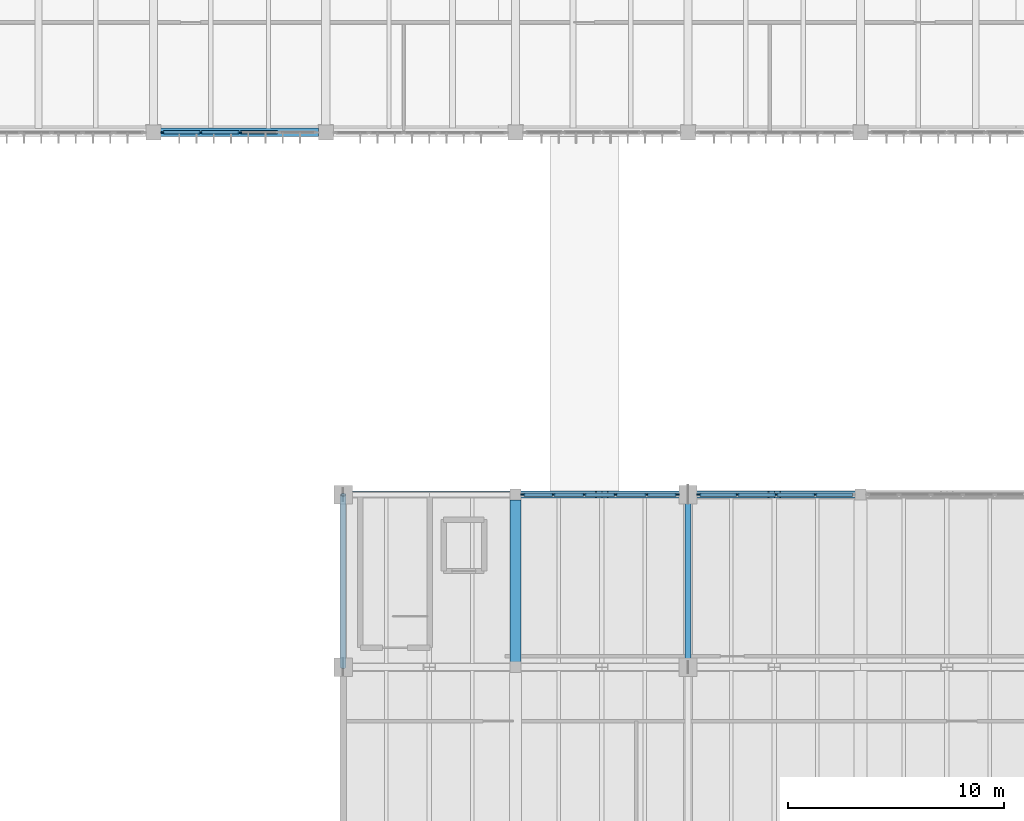
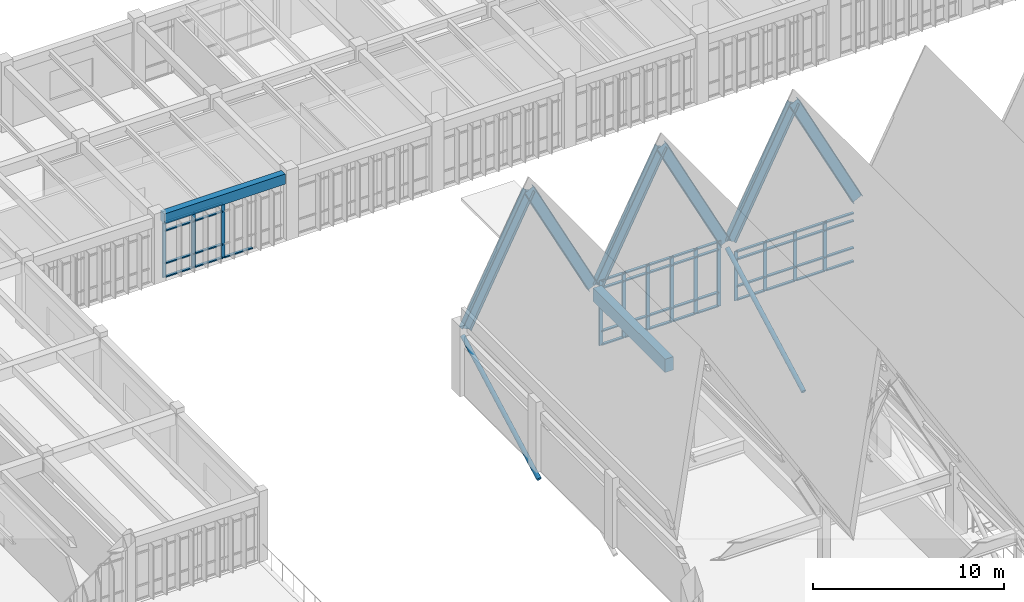
# One storey, part 8 of 72: 66 members, 2 beams, 3 elements without a shape of their own.
"""IFC4 building model written with IfcOpenShell, lengths in metres."""

from ifc_helpers import new_model, si_unit, direction, frame, origin, origin_2d, place, context, subcontext, project, spatial, rectangle, hollow_circle, i_section, extrude, material, material_profile, profile_set, type_object, element, aggregate, save


model = new_model("IFC4")

# Units and contexts
model_context = context("Model", 3, precision=1e-05, world=origin(), true_north=direction((0.0, 1.0)))
body_context = subcontext(model_context, "Body", "Model", "MODEL_VIEW")
ifc_project = project(units=[si_unit("LENGTHUNIT", "METRE"), si_unit("AREAUNIT", "SQUARE_METRE"), si_unit("VOLUMEUNIT", "CUBIC_METRE"), si_unit("PLANEANGLEUNIT", "RADIAN"), si_unit("MASSUNIT", "GRAM", prefix="KILO")], contexts=[model_context])

# Site, building, storey
site_placement = place(None, origin())
site = spatial("IfcSite", under=ifc_project, at=site_placement, CompositionType="ELEMENT")
building_placement = place(site_placement, origin())
building = spatial("IfcBuilding", under=site, at=building_placement, Name="Tlaxcora Railside Police Headquarters", CompositionType="ELEMENT")
storey_placement = place(building_placement, frame((0.0, 0.0, 13.5)))
storey = spatial("IfcBuildingStorey", under=building, at=storey_placement, Name="L03", CompositionType="ELEMENT", Elevation=13.5)

# Curtain wall, members
ifc_material_1 = material(Name="Thermally broken low-E insulated glazing", Category="glass")
curtain_wall_type_1 = type_object("IfcCurtainWallType", Name="Unitised Curtain Wall Assembly CW-23", PredefinedType="NOTDEFINED", material=ifc_material_1)
curtain_wall_1_placement = place(storey_placement, origin())
curtain_wall_1 = element("IfcCurtainWall", 1, at=curtain_wall_1_placement, inside=storey, type_object=curtain_wall_type_1, Name="V2 L03 curtain wall 20", PredefinedType="NOTDEFINED")
ifc_material_2 = material(Name="Anodised aluminium framing", Category="aluminium")
ifc_material_profile_1 = material_profile(ifc_material_2, rectangle(XDim=0.080078125, YDim=0.219970703125, at=origin_2d()), Name="AL80X220")
ifc_profile_set_1 = profile_set([ifc_material_profile_1], Name="Anodised aluminium framing")
member_type_1 = type_object("IfcMemberType", Name="Curtain Wall Mullion CW-31", PredefinedType="MULLION", material=ifc_profile_set_1)
member_1_placement = place(storey_placement, frame((61.485107421875, 60.0, 0.0), z_axis=(0.0, 0.0, 1.0), x_axis=(0.0, -1.0, 0.0)))
member_1 = element("IfcMember", 2, at=member_1_placement, type_object=member_type_1, Name="CW mullion 1", PredefinedType="MULLION", context=body_context, shape_type="SweptSolid", body=[
    extrude(rectangle(XDim=0.080078125, YDim=0.219970703125, at=origin_2d()), origin(), (0.0, 0.0, 1.0), 4.169921875),
])
member_2_placement = place(storey_placement, frame((60.080078125, 60.0, 0.0), z_axis=(0.0, 0.0, 1.0), x_axis=(0.0, -1.0, 0.0)))
member_2 = element("IfcMember", 3, at=member_2_placement, type_object=member_type_1, Name="CW mullion 2", PredefinedType="MULLION", context=body_context, shape_type="SweptSolid", body=[
    extrude(rectangle(XDim=0.080078125, YDim=0.219970703125, at=origin_2d()), origin(), (0.0, 0.0, 1.0), 4.169921875),
])
member_3_placement = place(storey_placement, frame((58.635009765625, 60.0, 0.0), z_axis=(0.0, 0.0, 1.0), x_axis=(0.0, -1.0, 0.0)))
member_3 = element("IfcMember", 4, at=member_3_placement, type_object=member_type_1, Name="CW mullion 3", PredefinedType="MULLION", context=body_context, shape_type="SweptSolid", body=[
    extrude(rectangle(XDim=0.080078125, YDim=0.219970703125, at=origin_2d()), origin(), (0.0, 0.0, 1.0), 4.169921875),
])
member_4_placement = place(storey_placement, frame((57.18994140625, 60.0, 0.0), z_axis=(0.0, 0.0, 1.0), x_axis=(0.0, -1.0, 0.0)))
member_4 = element("IfcMember", 5, at=member_4_placement, type_object=member_type_1, Name="CW mullion 4", PredefinedType="MULLION", context=body_context, shape_type="SweptSolid", body=[
    extrude(rectangle(XDim=0.080078125, YDim=0.219970703125, at=origin_2d()), origin(), (0.0, 0.0, 1.0), 4.169921875),
])
member_5_placement = place(storey_placement, frame((55.7451171875, 60.0, 0.0), z_axis=(0.0, 0.0, 1.0), x_axis=(0.0, -1.0, 0.0)))
member_5 = element("IfcMember", 6, at=member_5_placement, type_object=member_type_1, Name="CW mullion 5", PredefinedType="MULLION", context=body_context, shape_type="SweptSolid", body=[
    extrude(rectangle(XDim=0.080078125, YDim=0.219970703125, at=origin_2d()), origin(), (0.0, 0.0, 1.0), 4.169921875),
])
member_6_placement = place(storey_placement, frame((54.340087890625, 60.0, 0.0), z_axis=(0.0, 0.0, 1.0), x_axis=(0.0, -1.0, 0.0)))
member_6 = element("IfcMember", 7, at=member_6_placement, type_object=member_type_1, Name="CW mullion 6", PredefinedType="MULLION", context=body_context, shape_type="SweptSolid", body=[
    extrude(rectangle(XDim=0.080078125, YDim=0.219970703125, at=origin_2d()), origin(), (0.0, 0.0, 1.0), 4.169921875),
])

curtain_wall_type_2 = type_object("IfcCurtainWallType", Name="Unitised Curtain Wall Assembly CW-38", PredefinedType="NOTDEFINED", material=ifc_material_1)
curtain_wall_2_placement = place(storey_placement, origin())
curtain_wall_2 = element("IfcCurtainWall", 8, at=curtain_wall_2_placement, inside=storey, type_object=curtain_wall_type_2, Name="V5 L03 curtain wall 73", PredefinedType="NOTDEFINED")
ifc_material_profile_2 = material_profile(ifc_material_2, rectangle(XDim=0.074951171875, YDim=0.205078125, at=origin_2d()), Name="AL75X205")
ifc_profile_set_2 = profile_set([ifc_material_profile_2], Name="Anodised aluminium framing")
member_type_2 = type_object("IfcMemberType", Name="Curtain Wall Mullion CW-32", PredefinedType="MULLION", material=ifc_profile_set_2)
member_7_placement = place(storey_placement, frame((37.637451171875, 76.800048828125, 0.0), z_axis=(0.0, 0.0, 1.0), x_axis=(0.0, 1.0, 0.0)))
member_7 = element("IfcMember", 9, at=member_7_placement, type_object=member_type_2, Name="CW mullion 1", PredefinedType="MULLION", context=body_context, shape_type="SweptSolid", body=[
    extrude(rectangle(XDim=0.074951171875, YDim=0.205078125, at=origin_2d()), origin(), (0.0, 0.0, 1.0), 3.52001953125),
])
member_8_placement = place(storey_placement, frame((39.39990234375, 76.800048828125, 0.0), z_axis=(0.0, 0.0, 1.0), x_axis=(0.0, 1.0, 0.0)))
member_8 = element("IfcMember", 10, at=member_8_placement, type_object=member_type_2, Name="CW mullion 2", PredefinedType="MULLION", context=body_context, shape_type="SweptSolid", body=[
    extrude(rectangle(XDim=0.074951171875, YDim=0.205078125, at=origin_2d()), origin(), (0.0, 0.0, 1.0), 3.52001953125),
])
member_9_placement = place(storey_placement, frame((41.199951171875, 76.800048828125, 0.0), z_axis=(0.0, 0.0, 1.0), x_axis=(0.0, 1.0, 0.0)))
member_9 = element("IfcMember", 11, at=member_9_placement, type_object=member_type_2, Name="CW mullion 3", PredefinedType="MULLION", context=body_context, shape_type="SweptSolid", body=[
    extrude(rectangle(XDim=0.074951171875, YDim=0.205078125, at=origin_2d()), origin(), (0.0, 0.0, 1.0), 3.52001953125),
])

curtain_wall_type_3 = type_object("IfcCurtainWallType", Name="Unitised Curtain Wall Assembly CW-83", PredefinedType="NOTDEFINED", material=ifc_material_1)
curtain_wall_3_placement = place(storey_placement, origin())
curtain_wall_3 = element("IfcCurtainWall", 12, at=curtain_wall_3_placement, inside=storey, type_object=curtain_wall_type_3, Name="V2 L03 curtain wall 19", PredefinedType="NOTDEFINED")
ifc_material_profile_3 = material_profile(ifc_material_2, rectangle(XDim=0.080078125, YDim=0.2099609375, at=origin_2d()), Name="AL80X210")
ifc_profile_set_3 = profile_set([ifc_material_profile_3], Name="Anodised aluminium framing")
member_type_3 = type_object("IfcMemberType", Name="Curtain Wall Mullion CW-76", PredefinedType="MULLION", material=ifc_profile_set_3)
member_10_placement = place(storey_placement, frame((67.893798828125, 60.0, 0.0), z_axis=(0.0, 0.0, 1.0), x_axis=(0.0, -1.0, 0.0)))
member_10 = element("IfcMember", 13, at=member_10_placement, type_object=member_type_3, Name="CW mullion 2", PredefinedType="MULLION", context=body_context, shape_type="SweptSolid", body=[
    extrude(rectangle(XDim=0.080078125, YDim=0.2099609375, at=origin_2d()), origin(), (0.0, 0.0, 1.0), 3.155029296875),
])
member_11_placement = place(storey_placement, frame((66.08740234375, 60.0, 0.0), z_axis=(0.0, 0.0, 1.0), x_axis=(0.0, -1.0, 0.0)))
member_11 = element("IfcMember", 14, at=member_11_placement, type_object=member_type_3, Name="CW mullion 3", PredefinedType="MULLION", context=body_context, shape_type="SweptSolid", body=[
    extrude(rectangle(XDim=0.080078125, YDim=0.2099609375, at=origin_2d()), origin(), (0.0, 0.0, 1.0), 3.155029296875),
])
member_12_placement = place(storey_placement, frame((64.28125, 60.0, 0.0), z_axis=(0.0, 0.0, 1.0), x_axis=(0.0, -1.0, 0.0)))
member_12 = element("IfcMember", 15, at=member_12_placement, type_object=member_type_3, Name="CW mullion 4", PredefinedType="MULLION", context=body_context, shape_type="SweptSolid", body=[
    extrude(rectangle(XDim=0.080078125, YDim=0.2099609375, at=origin_2d()), origin(), (0.0, 0.0, 1.0), 3.155029296875),
])
member_13_placement = place(storey_placement, frame((62.514892578125, 60.0, 0.0), z_axis=(0.0, 0.0, 1.0), x_axis=(0.0, -1.0, 0.0)))
member_13 = element("IfcMember", 16, at=member_13_placement, type_object=member_type_3, Name="CW mullion 5", PredefinedType="MULLION", context=body_context, shape_type="SweptSolid", body=[
    extrude(rectangle(XDim=0.080078125, YDim=0.2099609375, at=origin_2d()), origin(), (0.0, 0.0, 1.0), 3.155029296875),
])

# Member
ifc_material_profile_4 = material_profile(ifc_material_2, rectangle(XDim=0.155029296875, YDim=0.074951171875, at=origin_2d()), Name="AL75X155")
ifc_profile_set_4 = profile_set([ifc_material_profile_4], Name="Anodised aluminium framing")
member_type_4 = type_object("IfcMemberType", Name="Curtain Wall Transom CW-30", PredefinedType="USERDEFINED", material=ifc_profile_set_4)
member_14_placement = place(storey_placement, frame((37.675048828125, 76.800048828125, 0.03759765625), z_axis=(1.0, 0.0, 0.0), x_axis=(0.0, 1.0, 0.0)))
member_14 = element("IfcMember", 17, at=member_14_placement, type_object=member_type_4, Name="CW transom 1.1", ObjectType="TRANSOM", PredefinedType="USERDEFINED", context=body_context, shape_type="SweptSolid", body=[
    extrude(rectangle(XDim=0.155029296875, YDim=0.074951171875, at=origin_2d()), origin(), (0.0, 0.0, 1.0), 1.6875),
])

member_15_placement = place(storey_placement, frame((37.675048828125, 76.800048828125, 0.89990234375), z_axis=(1.0, 0.0, 0.0), x_axis=(0.0, 1.0, 0.0)))
member_15 = element("IfcMember", 18, at=member_15_placement, type_object=member_type_4, Name="CW transom 1.2", ObjectType="TRANSOM", PredefinedType="USERDEFINED", context=body_context, shape_type="SweptSolid", body=[
    extrude(rectangle(XDim=0.155029296875, YDim=0.074951171875, at=origin_2d()), origin(), (0.0, 0.0, 1.0), 1.6875),
])

member_16_placement = place(storey_placement, frame((37.675048828125, 76.800048828125, 2.989990234375), z_axis=(1.0, 0.0, 0.0), x_axis=(0.0, 1.0, 0.0)))
member_16 = element("IfcMember", 19, at=member_16_placement, type_object=member_type_4, Name="CW transom 1.3", ObjectType="TRANSOM", PredefinedType="USERDEFINED", context=body_context, shape_type="SweptSolid", body=[
    extrude(rectangle(XDim=0.155029296875, YDim=0.074951171875, at=origin_2d()), origin(), (0.0, 0.0, 1.0), 1.6875),
])

member_17_placement = place(storey_placement, frame((37.675048828125, 76.800048828125, 3.482421875), z_axis=(1.0, 0.0, 0.0), x_axis=(0.0, 1.0, 0.0)))
member_17 = element("IfcMember", 20, at=member_17_placement, type_object=member_type_4, Name="CW transom 1.4", ObjectType="TRANSOM", PredefinedType="USERDEFINED", context=body_context, shape_type="SweptSolid", body=[
    extrude(rectangle(XDim=0.155029296875, YDim=0.074951171875, at=origin_2d()), origin(), (0.0, 0.0, 1.0), 1.6875),
])

member_18_placement = place(storey_placement, frame((39.4375, 76.800048828125, 0.03759765625), z_axis=(1.0, 0.0, 0.0), x_axis=(0.0, 1.0, 0.0)))
member_18 = element("IfcMember", 21, at=member_18_placement, type_object=member_type_4, Name="CW transom 2.1", ObjectType="TRANSOM", PredefinedType="USERDEFINED", context=body_context, shape_type="SweptSolid", body=[
    extrude(rectangle(XDim=0.155029296875, YDim=0.074951171875, at=origin_2d()), origin(), (0.0, 0.0, 1.0), 1.72509765625),
])

member_19_placement = place(storey_placement, frame((39.4375, 76.800048828125, 0.89990234375), z_axis=(1.0, 0.0, 0.0), x_axis=(0.0, 1.0, 0.0)))
member_19 = element("IfcMember", 22, at=member_19_placement, type_object=member_type_4, Name="CW transom 2.2", ObjectType="TRANSOM", PredefinedType="USERDEFINED", context=body_context, shape_type="SweptSolid", body=[
    extrude(rectangle(XDim=0.155029296875, YDim=0.074951171875, at=origin_2d()), origin(), (0.0, 0.0, 1.0), 1.72509765625),
])

member_20_placement = place(storey_placement, frame((39.4375, 76.800048828125, 2.989990234375), z_axis=(1.0, 0.0, 0.0), x_axis=(0.0, 1.0, 0.0)))
member_20 = element("IfcMember", 23, at=member_20_placement, type_object=member_type_4, Name="CW transom 2.3", ObjectType="TRANSOM", PredefinedType="USERDEFINED", context=body_context, shape_type="SweptSolid", body=[
    extrude(rectangle(XDim=0.155029296875, YDim=0.074951171875, at=origin_2d()), origin(), (0.0, 0.0, 1.0), 1.72509765625),
])

member_21_placement = place(storey_placement, frame((39.4375, 76.800048828125, 3.482421875), z_axis=(1.0, 0.0, 0.0), x_axis=(0.0, 1.0, 0.0)))
member_21 = element("IfcMember", 24, at=member_21_placement, type_object=member_type_4, Name="CW transom 2.4", ObjectType="TRANSOM", PredefinedType="USERDEFINED", context=body_context, shape_type="SweptSolid", body=[
    extrude(rectangle(XDim=0.155029296875, YDim=0.074951171875, at=origin_2d()), origin(), (0.0, 0.0, 1.0), 1.72509765625),
])

member_22_placement = place(storey_placement, frame((41.237548828125, 76.800048828125, 0.03759765625), z_axis=(1.0, 0.0, 0.0), x_axis=(0.0, 1.0, 0.0)))
member_22 = element("IfcMember", 25, at=member_22_placement, type_object=member_type_4, Name="CW transom 3.1", ObjectType="TRANSOM", PredefinedType="USERDEFINED", context=body_context, shape_type="SweptSolid", body=[
    extrude(rectangle(XDim=0.155029296875, YDim=0.074951171875, at=origin_2d()), origin(), (0.0, 0.0, 1.0), 1.724853515625),
])

aggregate(curtain_wall_2, [member_7, member_8, member_9, member_14, member_15, member_16, member_17, member_18, member_19, member_20, member_21, member_22])

ifc_material_profile_5 = material_profile(ifc_material_2, rectangle(XDim=0.1650390625, YDim=0.080078125, at=origin_2d()), Name="AL80X165")
ifc_profile_set_5 = profile_set([ifc_material_profile_5], Name="Anodised aluminium framing")
member_type_5 = type_object("IfcMemberType", Name="Curtain Wall Transom CW-62", PredefinedType="USERDEFINED", material=ifc_profile_set_5)
member_23_placement = place(storey_placement, frame((61.445068359375, 60.0, 0.0400390625), z_axis=(-1.0, 0.0, 0.0), x_axis=(0.0, -1.0, 0.0)))
member_23 = element("IfcMember", 26, at=member_23_placement, type_object=member_type_5, Name="CW transom 1.1", ObjectType="TRANSOM", PredefinedType="USERDEFINED", context=body_context, shape_type="SweptSolid", body=[
    extrude(rectangle(XDim=0.1650390625, YDim=0.080078125, at=origin_2d()), origin(), (0.0, 0.0, 1.0), 1.324951171875),
])

member_24_placement = place(storey_placement, frame((61.445068359375, 60.0, 0.89990234375), z_axis=(-1.0, 0.0, 0.0), x_axis=(0.0, -1.0, 0.0)))
member_24 = element("IfcMember", 27, at=member_24_placement, type_object=member_type_5, Name="CW transom 1.2", ObjectType="TRANSOM", PredefinedType="USERDEFINED", context=body_context, shape_type="SweptSolid", body=[
    extrude(rectangle(XDim=0.1650390625, YDim=0.080078125, at=origin_2d()), origin(), (0.0, 0.0, 1.0), 1.324951171875),
])

member_25_placement = place(storey_placement, frame((61.445068359375, 60.0, 3.639892578125), z_axis=(-1.0, 0.0, 0.0), x_axis=(0.0, -1.0, 0.0)))
member_25 = element("IfcMember", 28, at=member_25_placement, type_object=member_type_5, Name="CW transom 1.3", ObjectType="TRANSOM", PredefinedType="USERDEFINED", context=body_context, shape_type="SweptSolid", body=[
    extrude(rectangle(XDim=0.1650390625, YDim=0.080078125, at=origin_2d()), origin(), (0.0, 0.0, 1.0), 1.324951171875),
])

member_26_placement = place(storey_placement, frame((61.445068359375, 60.0, 4.1298828125), z_axis=(-1.0, 0.0, 0.0), x_axis=(0.0, -1.0, 0.0)))
member_26 = element("IfcMember", 29, at=member_26_placement, type_object=member_type_5, Name="CW transom 1.4", ObjectType="TRANSOM", PredefinedType="USERDEFINED", context=body_context, shape_type="SweptSolid", body=[
    extrude(rectangle(XDim=0.1650390625, YDim=0.080078125, at=origin_2d()), origin(), (0.0, 0.0, 1.0), 1.324951171875),
])

member_27_placement = place(storey_placement, frame((60.0400390625, 60.0, 0.0400390625), z_axis=(-1.0, 0.0, 0.0), x_axis=(0.0, -1.0, 0.0)))
member_27 = element("IfcMember", 30, at=member_27_placement, type_object=member_type_5, Name="CW transom 2.1", ObjectType="TRANSOM", PredefinedType="USERDEFINED", context=body_context, shape_type="SweptSolid", body=[
    extrude(rectangle(XDim=0.1650390625, YDim=0.080078125, at=origin_2d()), origin(), (0.0, 0.0, 1.0), 1.364990234375),
])

member_28_placement = place(storey_placement, frame((60.0400390625, 60.0, 0.89990234375), z_axis=(-1.0, 0.0, 0.0), x_axis=(0.0, -1.0, 0.0)))
member_28 = element("IfcMember", 31, at=member_28_placement, type_object=member_type_5, Name="CW transom 2.2", ObjectType="TRANSOM", PredefinedType="USERDEFINED", context=body_context, shape_type="SweptSolid", body=[
    extrude(rectangle(XDim=0.1650390625, YDim=0.080078125, at=origin_2d()), origin(), (0.0, 0.0, 1.0), 1.364990234375),
])

member_29_placement = place(storey_placement, frame((60.0400390625, 60.0, 3.639892578125), z_axis=(-1.0, 0.0, 0.0), x_axis=(0.0, -1.0, 0.0)))
member_29 = element("IfcMember", 32, at=member_29_placement, type_object=member_type_5, Name="CW transom 2.3", ObjectType="TRANSOM", PredefinedType="USERDEFINED", context=body_context, shape_type="SweptSolid", body=[
    extrude(rectangle(XDim=0.1650390625, YDim=0.080078125, at=origin_2d()), origin(), (0.0, 0.0, 1.0), 1.364990234375),
])

member_30_placement = place(storey_placement, frame((60.0400390625, 60.0, 4.1298828125), z_axis=(-1.0, 0.0, 0.0), x_axis=(0.0, -1.0, 0.0)))
member_30 = element("IfcMember", 33, at=member_30_placement, type_object=member_type_5, Name="CW transom 2.4", ObjectType="TRANSOM", PredefinedType="USERDEFINED", context=body_context, shape_type="SweptSolid", body=[
    extrude(rectangle(XDim=0.1650390625, YDim=0.080078125, at=origin_2d()), origin(), (0.0, 0.0, 1.0), 1.364990234375),
])

member_31_placement = place(storey_placement, frame((58.594970703125, 60.0, 0.0400390625), z_axis=(-1.0, 0.0, 0.0), x_axis=(0.0, -1.0, 0.0)))
member_31 = element("IfcMember", 34, at=member_31_placement, type_object=member_type_5, Name="CW transom 3.1", ObjectType="TRANSOM", PredefinedType="USERDEFINED", context=body_context, shape_type="SweptSolid", body=[
    extrude(rectangle(XDim=0.1650390625, YDim=0.080078125, at=origin_2d()), origin(), (0.0, 0.0, 1.0), 1.364990234375),
])

member_32_placement = place(storey_placement, frame((58.594970703125, 60.0, 0.89990234375), z_axis=(-1.0, 0.0, 0.0), x_axis=(0.0, -1.0, 0.0)))
member_32 = element("IfcMember", 35, at=member_32_placement, type_object=member_type_5, Name="CW transom 3.2", ObjectType="TRANSOM", PredefinedType="USERDEFINED", context=body_context, shape_type="SweptSolid", body=[
    extrude(rectangle(XDim=0.1650390625, YDim=0.080078125, at=origin_2d()), origin(), (0.0, 0.0, 1.0), 1.364990234375),
])

member_33_placement = place(storey_placement, frame((58.594970703125, 60.0, 3.639892578125), z_axis=(-1.0, 0.0, 0.0), x_axis=(0.0, -1.0, 0.0)))
member_33 = element("IfcMember", 36, at=member_33_placement, type_object=member_type_5, Name="CW transom 3.3", ObjectType="TRANSOM", PredefinedType="USERDEFINED", context=body_context, shape_type="SweptSolid", body=[
    extrude(rectangle(XDim=0.1650390625, YDim=0.080078125, at=origin_2d()), origin(), (0.0, 0.0, 1.0), 1.364990234375),
])

member_34_placement = place(storey_placement, frame((58.594970703125, 60.0, 4.1298828125), z_axis=(-1.0, 0.0, 0.0), x_axis=(0.0, -1.0, 0.0)))
member_34 = element("IfcMember", 37, at=member_34_placement, type_object=member_type_5, Name="CW transom 3.4", ObjectType="TRANSOM", PredefinedType="USERDEFINED", context=body_context, shape_type="SweptSolid", body=[
    extrude(rectangle(XDim=0.1650390625, YDim=0.080078125, at=origin_2d()), origin(), (0.0, 0.0, 1.0), 1.364990234375),
])

member_35_placement = place(storey_placement, frame((57.14990234375, 60.0, 0.0400390625), z_axis=(-1.0, 0.0, 0.0), x_axis=(0.0, -1.0, 0.0)))
member_35 = element("IfcMember", 38, at=member_35_placement, type_object=member_type_5, Name="CW transom 4.1", ObjectType="TRANSOM", PredefinedType="USERDEFINED", context=body_context, shape_type="SweptSolid", body=[
    extrude(rectangle(XDim=0.1650390625, YDim=0.080078125, at=origin_2d()), origin(), (0.0, 0.0, 1.0), 1.364990234375),
])

member_36_placement = place(storey_placement, frame((57.14990234375, 60.0, 0.89990234375), z_axis=(-1.0, 0.0, 0.0), x_axis=(0.0, -1.0, 0.0)))
member_36 = element("IfcMember", 39, at=member_36_placement, type_object=member_type_5, Name="CW transom 4.2", ObjectType="TRANSOM", PredefinedType="USERDEFINED", context=body_context, shape_type="SweptSolid", body=[
    extrude(rectangle(XDim=0.1650390625, YDim=0.080078125, at=origin_2d()), origin(), (0.0, 0.0, 1.0), 1.364990234375),
])

member_37_placement = place(storey_placement, frame((57.14990234375, 60.0, 3.639892578125), z_axis=(-1.0, 0.0, 0.0), x_axis=(0.0, -1.0, 0.0)))
member_37 = element("IfcMember", 40, at=member_37_placement, type_object=member_type_5, Name="CW transom 4.3", ObjectType="TRANSOM", PredefinedType="USERDEFINED", context=body_context, shape_type="SweptSolid", body=[
    extrude(rectangle(XDim=0.1650390625, YDim=0.080078125, at=origin_2d()), origin(), (0.0, 0.0, 1.0), 1.364990234375),
])

member_38_placement = place(storey_placement, frame((57.14990234375, 60.0, 4.1298828125), z_axis=(-1.0, 0.0, 0.0), x_axis=(0.0, -1.0, 0.0)))
member_38 = element("IfcMember", 41, at=member_38_placement, type_object=member_type_5, Name="CW transom 4.4", ObjectType="TRANSOM", PredefinedType="USERDEFINED", context=body_context, shape_type="SweptSolid", body=[
    extrude(rectangle(XDim=0.1650390625, YDim=0.080078125, at=origin_2d()), origin(), (0.0, 0.0, 1.0), 1.364990234375),
])

member_39_placement = place(storey_placement, frame((55.705078125, 60.0, 0.0400390625), z_axis=(-1.0, 0.0, 0.0), x_axis=(0.0, -1.0, 0.0)))
member_39 = element("IfcMember", 42, at=member_39_placement, type_object=member_type_5, Name="CW transom 5.1", ObjectType="TRANSOM", PredefinedType="USERDEFINED", context=body_context, shape_type="SweptSolid", body=[
    extrude(rectangle(XDim=0.1650390625, YDim=0.080078125, at=origin_2d()), origin(), (0.0, 0.0, 1.0), 1.3251953125),
])

member_40_placement = place(storey_placement, frame((55.705078125, 60.0, 0.89990234375), z_axis=(-1.0, 0.0, 0.0), x_axis=(0.0, -1.0, 0.0)))
member_40 = element("IfcMember", 43, at=member_40_placement, type_object=member_type_5, Name="CW transom 5.2", ObjectType="TRANSOM", PredefinedType="USERDEFINED", context=body_context, shape_type="SweptSolid", body=[
    extrude(rectangle(XDim=0.1650390625, YDim=0.080078125, at=origin_2d()), origin(), (0.0, 0.0, 1.0), 1.3251953125),
])

member_41_placement = place(storey_placement, frame((55.705078125, 60.0, 3.639892578125), z_axis=(-1.0, 0.0, 0.0), x_axis=(0.0, -1.0, 0.0)))
member_41 = element("IfcMember", 44, at=member_41_placement, type_object=member_type_5, Name="CW transom 5.3", ObjectType="TRANSOM", PredefinedType="USERDEFINED", context=body_context, shape_type="SweptSolid", body=[
    extrude(rectangle(XDim=0.1650390625, YDim=0.080078125, at=origin_2d()), origin(), (0.0, 0.0, 1.0), 1.3251953125),
])

member_42_placement = place(storey_placement, frame((55.705078125, 60.0, 4.1298828125), z_axis=(-1.0, 0.0, 0.0), x_axis=(0.0, -1.0, 0.0)))
member_42 = element("IfcMember", 45, at=member_42_placement, type_object=member_type_5, Name="CW transom 5.4", ObjectType="TRANSOM", PredefinedType="USERDEFINED", context=body_context, shape_type="SweptSolid", body=[
    extrude(rectangle(XDim=0.1650390625, YDim=0.080078125, at=origin_2d()), origin(), (0.0, 0.0, 1.0), 1.3251953125),
])

aggregate(curtain_wall_1, [member_1, member_2, member_3, member_4, member_5, member_6, member_23, member_24, member_25, member_26, member_27, member_28, member_29, member_30, member_31, member_32, member_33, member_34, member_35, member_36, member_37, member_38, member_39, member_40, member_41, member_42])

ifc_material_profile_6 = material_profile(ifc_material_2, rectangle(XDim=0.159912109375, YDim=0.080078125, at=origin_2d()), Name="AL80X160")
ifc_profile_set_6 = profile_set([ifc_material_profile_6], Name="Anodised aluminium framing")
member_type_6 = type_object("IfcMemberType", Name="Curtain Wall Transom CW-82", PredefinedType="USERDEFINED", material=ifc_profile_set_6)
member_43_placement = place(storey_placement, frame((69.6201171875, 60.0, 0.0400390625), z_axis=(-1.0, 0.0, 0.0), x_axis=(0.0, -1.0, 0.0)))
member_43 = element("IfcMember", 46, at=member_43_placement, type_object=member_type_6, Name="CW transom 1.1", ObjectType="TRANSOM", PredefinedType="USERDEFINED", context=body_context, shape_type="SweptSolid", body=[
    extrude(rectangle(XDim=0.159912109375, YDim=0.080078125, at=origin_2d()), origin(), (0.0, 0.0, 1.0), 1.686279296875),
])

member_44_placement = place(storey_placement, frame((69.6201171875, 60.0, 0.89990234375), z_axis=(-1.0, 0.0, 0.0), x_axis=(0.0, -1.0, 0.0)))
member_44 = element("IfcMember", 47, at=member_44_placement, type_object=member_type_6, Name="CW transom 1.2", ObjectType="TRANSOM", PredefinedType="USERDEFINED", context=body_context, shape_type="SweptSolid", body=[
    extrude(rectangle(XDim=0.159912109375, YDim=0.080078125, at=origin_2d()), origin(), (0.0, 0.0, 1.0), 1.686279296875),
])

member_45_placement = place(storey_placement, frame((69.6201171875, 60.0, 2.625), z_axis=(-1.0, 0.0, 0.0), x_axis=(0.0, -1.0, 0.0)))
member_45 = element("IfcMember", 48, at=member_45_placement, type_object=member_type_6, Name="CW transom 1.3", ObjectType="TRANSOM", PredefinedType="USERDEFINED", context=body_context, shape_type="SweptSolid", body=[
    extrude(rectangle(XDim=0.159912109375, YDim=0.080078125, at=origin_2d()), origin(), (0.0, 0.0, 1.0), 1.686279296875),
])

member_46_placement = place(storey_placement, frame((69.6201171875, 60.0, 3.114990234375), z_axis=(-1.0, 0.0, 0.0), x_axis=(0.0, -1.0, 0.0)))
member_46 = element("IfcMember", 49, at=member_46_placement, type_object=member_type_6, Name="CW transom 1.4", ObjectType="TRANSOM", PredefinedType="USERDEFINED", context=body_context, shape_type="SweptSolid", body=[
    extrude(rectangle(XDim=0.159912109375, YDim=0.080078125, at=origin_2d()), origin(), (0.0, 0.0, 1.0), 1.686279296875),
])

member_47_placement = place(storey_placement, frame((67.853759765625, 60.0, 0.0400390625), z_axis=(-1.0, 0.0, 0.0), x_axis=(0.0, -1.0, 0.0)))
member_47 = element("IfcMember", 50, at=member_47_placement, type_object=member_type_6, Name="CW transom 2.1", ObjectType="TRANSOM", PredefinedType="USERDEFINED", context=body_context, shape_type="SweptSolid", body=[
    extrude(rectangle(XDim=0.159912109375, YDim=0.080078125, at=origin_2d()), origin(), (0.0, 0.0, 1.0), 1.726318359375),
])

member_48_placement = place(storey_placement, frame((67.853759765625, 60.0, 0.89990234375), z_axis=(-1.0, 0.0, 0.0), x_axis=(0.0, -1.0, 0.0)))
member_48 = element("IfcMember", 51, at=member_48_placement, type_object=member_type_6, Name="CW transom 2.2", ObjectType="TRANSOM", PredefinedType="USERDEFINED", context=body_context, shape_type="SweptSolid", body=[
    extrude(rectangle(XDim=0.159912109375, YDim=0.080078125, at=origin_2d()), origin(), (0.0, 0.0, 1.0), 1.726318359375),
])

member_49_placement = place(storey_placement, frame((67.853759765625, 60.0, 2.625), z_axis=(-1.0, 0.0, 0.0), x_axis=(0.0, -1.0, 0.0)))
member_49 = element("IfcMember", 52, at=member_49_placement, type_object=member_type_6, Name="CW transom 2.3", ObjectType="TRANSOM", PredefinedType="USERDEFINED", context=body_context, shape_type="SweptSolid", body=[
    extrude(rectangle(XDim=0.159912109375, YDim=0.080078125, at=origin_2d()), origin(), (0.0, 0.0, 1.0), 1.726318359375),
])

member_50_placement = place(storey_placement, frame((67.853759765625, 60.0, 3.114990234375), z_axis=(-1.0, 0.0, 0.0), x_axis=(0.0, -1.0, 0.0)))
member_50 = element("IfcMember", 53, at=member_50_placement, type_object=member_type_6, Name="CW transom 2.4", ObjectType="TRANSOM", PredefinedType="USERDEFINED", context=body_context, shape_type="SweptSolid", body=[
    extrude(rectangle(XDim=0.159912109375, YDim=0.080078125, at=origin_2d()), origin(), (0.0, 0.0, 1.0), 1.726318359375),
])

member_51_placement = place(storey_placement, frame((66.047607421875, 60.0, 0.0400390625), z_axis=(-1.0, 0.0, 0.0), x_axis=(0.0, -1.0, 0.0)))
member_51 = element("IfcMember", 54, at=member_51_placement, type_object=member_type_6, Name="CW transom 3.1", ObjectType="TRANSOM", PredefinedType="USERDEFINED", context=body_context, shape_type="SweptSolid", body=[
    extrude(rectangle(XDim=0.159912109375, YDim=0.080078125, at=origin_2d()), origin(), (0.0, 0.0, 1.0), 1.726318359375),
])

member_52_placement = place(storey_placement, frame((66.047607421875, 60.0, 0.89990234375), z_axis=(-1.0, 0.0, 0.0), x_axis=(0.0, -1.0, 0.0)))
member_52 = element("IfcMember", 55, at=member_52_placement, type_object=member_type_6, Name="CW transom 3.2", ObjectType="TRANSOM", PredefinedType="USERDEFINED", context=body_context, shape_type="SweptSolid", body=[
    extrude(rectangle(XDim=0.159912109375, YDim=0.080078125, at=origin_2d()), origin(), (0.0, 0.0, 1.0), 1.726318359375),
])

member_53_placement = place(storey_placement, frame((66.047607421875, 60.0, 2.625), z_axis=(-1.0, 0.0, 0.0), x_axis=(0.0, -1.0, 0.0)))
member_53 = element("IfcMember", 56, at=member_53_placement, type_object=member_type_6, Name="CW transom 3.3", ObjectType="TRANSOM", PredefinedType="USERDEFINED", context=body_context, shape_type="SweptSolid", body=[
    extrude(rectangle(XDim=0.159912109375, YDim=0.080078125, at=origin_2d()), origin(), (0.0, 0.0, 1.0), 1.726318359375),
])

member_54_placement = place(storey_placement, frame((66.047607421875, 60.0, 3.114990234375), z_axis=(-1.0, 0.0, 0.0), x_axis=(0.0, -1.0, 0.0)))
member_54 = element("IfcMember", 57, at=member_54_placement, type_object=member_type_6, Name="CW transom 3.4", ObjectType="TRANSOM", PredefinedType="USERDEFINED", context=body_context, shape_type="SweptSolid", body=[
    extrude(rectangle(XDim=0.159912109375, YDim=0.080078125, at=origin_2d()), origin(), (0.0, 0.0, 1.0), 1.726318359375),
])

member_55_placement = place(storey_placement, frame((64.2412109375, 60.0, 0.0400390625), z_axis=(-1.0, 0.0, 0.0), x_axis=(0.0, -1.0, 0.0)))
member_55 = element("IfcMember", 58, at=member_55_placement, type_object=member_type_6, Name="CW transom 4.1", ObjectType="TRANSOM", PredefinedType="USERDEFINED", context=body_context, shape_type="SweptSolid", body=[
    extrude(rectangle(XDim=0.159912109375, YDim=0.080078125, at=origin_2d()), origin(), (0.0, 0.0, 1.0), 1.686279296875),
])

member_56_placement = place(storey_placement, frame((64.2412109375, 60.0, 0.89990234375), z_axis=(-1.0, 0.0, 0.0), x_axis=(0.0, -1.0, 0.0)))
member_56 = element("IfcMember", 59, at=member_56_placement, type_object=member_type_6, Name="CW transom 4.2", ObjectType="TRANSOM", PredefinedType="USERDEFINED", context=body_context, shape_type="SweptSolid", body=[
    extrude(rectangle(XDim=0.159912109375, YDim=0.080078125, at=origin_2d()), origin(), (0.0, 0.0, 1.0), 1.686279296875),
])

member_57_placement = place(storey_placement, frame((64.2412109375, 60.0, 2.625), z_axis=(-1.0, 0.0, 0.0), x_axis=(0.0, -1.0, 0.0)))
member_57 = element("IfcMember", 60, at=member_57_placement, type_object=member_type_6, Name="CW transom 4.3", ObjectType="TRANSOM", PredefinedType="USERDEFINED", context=body_context, shape_type="SweptSolid", body=[
    extrude(rectangle(XDim=0.159912109375, YDim=0.080078125, at=origin_2d()), origin(), (0.0, 0.0, 1.0), 1.686279296875),
])

member_58_placement = place(storey_placement, frame((64.2412109375, 60.0, 3.114990234375), z_axis=(-1.0, 0.0, 0.0), x_axis=(0.0, -1.0, 0.0)))
member_58 = element("IfcMember", 61, at=member_58_placement, type_object=member_type_6, Name="CW transom 4.4", ObjectType="TRANSOM", PredefinedType="USERDEFINED", context=body_context, shape_type="SweptSolid", body=[
    extrude(rectangle(XDim=0.159912109375, YDim=0.080078125, at=origin_2d()), origin(), (0.0, 0.0, 1.0), 1.686279296875),
])

aggregate(curtain_wall_3, [member_10, member_11, member_12, member_13, member_43, member_44, member_45, member_46, member_47, member_48, member_49, member_50, member_51, member_52, member_53, member_54, member_55, member_56, member_57, member_58])

# Members
ifc_material_3 = material(Name="Steel ASTM A992 Grade 50", Category="steel")
ifc_material_profile_7 = material_profile(ifc_material_3, hollow_circle(Radius=0.136474609375, WallThickness=0.011962890625, at=origin_2d()), Name="CHS273X12")
ifc_profile_set_7 = profile_set([ifc_material_profile_7], Name="Steel ASTM A992 Grade 50")
member_type_7 = type_object("IfcMemberType", Name="Diagonal Brace Member MB-16", PredefinedType="BRACE", material=ifc_profile_set_7)
for number, where, z_axis, x_axis, name in (
    (62, (46.0, 60.0, 3.52001953125), (0.0, -0.879902254176, -0.475154735951), (1.0, 0.0, 0.0), "Truss TR-1 L03 web diagonal 1"),
    (63, (62.0, 60.0, 3.52001953125), (0.0, -0.879902254176, -0.475154735951), (1.0, 0.0, 0.0), "Truss TR-2 L03 web diagonal 1"),
):
    element("IfcMember", number, at=place(storey_placement, frame(where, z_axis=z_axis, x_axis=x_axis)), inside=storey, type_object=member_type_7, Name=name, PredefinedType="BRACE", context=body_context, shape_type="SweptSolid", body=[
        extrude(hollow_circle(Radius=0.136474609375, WallThickness=0.011962890625, at=origin_2d()), origin(), (0.0, 0.0, 1.0), 9.092041015625),
    ])

# Beams
ifc_material_4 = material(Name="Concrete C40/50", Category="concrete")
ifc_material_profile_8 = material_profile(ifc_material_4, rectangle(XDim=0.39990234375, YDim=0.64990234375, at=origin_2d()), Name="RC400X650")
ifc_profile_set_8 = profile_set([ifc_material_profile_8], Name="Concrete C40/50")
beam_type_1 = type_object("IfcBeamType", Name="Perimeter Spandrel Beam BM-46", PredefinedType="SPANDREL", material=ifc_profile_set_8)
beam_1_placement = place(storey_placement, frame((37.5400390625, 76.800048828125, 3.864990234375), z_axis=(1.0, 0.0, 0.0), x_axis=(0.0, 1.0, 0.0)))
element("IfcBeam", 64, at=beam_1_placement, inside=storey, type_object=beam_type_1, Name="V5 L03 X-girder Y=76.8", PredefinedType="SPANDREL", context=body_context, shape_type="SweptSolid", body=[
    extrude(rectangle(XDim=0.39990234375, YDim=0.64990234375, at=origin_2d()), origin(), (0.0, 0.0, 1.0), 7.320068359375),
])
ifc_material_profile_9 = material_profile(ifc_material_4, rectangle(XDim=0.5, YDim=0.85009765625, at=origin_2d()), Name="RC500X850")
ifc_profile_set_9 = profile_set([ifc_material_profile_9], Name="Concrete C40/50")
beam_type_2 = type_object("IfcBeamType", Name="Primary Frame Girder BM-64", PredefinedType="BEAM", material=ifc_profile_set_9)
beam_2_placement = place(storey_placement, frame((54.0, 52.239990234375, 3.574951171875), z_axis=(0.0, 1.0, 0.0), x_axis=(-1.0, 0.0, 0.0)))
element("IfcBeam", 65, at=beam_2_placement, inside=storey, type_object=beam_type_2, Name="V2 L03 Y-girder X=54.0", PredefinedType="BEAM", context=body_context, shape_type="SweptSolid", body=[
    extrude(rectangle(XDim=0.5, YDim=0.85009765625, at=origin_2d()), origin(), (0.0, 0.0, 1.0), 7.52001953125),
])

# Members
ifc_material_profile_10 = material_profile(ifc_material_3, i_section(OverallWidth=0.3291015625, OverallDepth=0.635009765625, WebThickness=0.017822265625, FlangeThickness=0.031005859375, at=origin_2d()), Name="W24X162")
ifc_profile_set_10 = profile_set([ifc_material_profile_10], Name="Steel ASTM A992 Grade 50")
member_type_8 = type_object("IfcMemberType", Name="Truss Chord Member MB-35", PredefinedType="CHORD", material=ifc_profile_set_10)
for number, where, z_axis, x_axis, name in (
    (66, (46.14990234375, 60.0, 3.919921875), (0.455243807773, 0.0, 0.890366820745), (0.0, 1.0, 0.0), "Sawtooth rafter 1W Y=60.0"),
    (67, (53.85009765625, 60.0, 3.919921875), (-0.455243807773, 0.0, 0.890366820745), (0.0, -1.0, 0.0), "Sawtooth rafter 1E Y=60.0"),
    (68, (54.14990234375, 60.0, 3.919921875), (0.455243807773, 0.0, 0.890366820745), (0.0, 1.0, 0.0), "Sawtooth rafter 2W Y=60.0"),
    (69, (61.85009765625, 60.0, 3.919921875), (-0.455243807773, 0.0, 0.890366820745), (0.0, -1.0, 0.0), "Sawtooth rafter 2E Y=60.0"),
    (70, (62.14990234375, 60.0, 3.919921875), (0.455243807773, 0.0, 0.890366820745), (0.0, 1.0, 0.0), "Sawtooth rafter 3W Y=60.0"),
    (71, (69.85009765625, 60.0, 3.919921875), (-0.455243807773, 0.0, 0.890366820745), (0.0, -1.0, 0.0), "Sawtooth rafter 3E Y=60.0"),
):
    element("IfcMember", number, at=place(storey_placement, frame(where, z_axis=z_axis, x_axis=x_axis)), inside=storey, type_object=member_type_8, Name=name, PredefinedType="CHORD", context=body_context, shape_type="SweptSolid", body=[
        extrude(i_section(OverallWidth=0.3291015625, OverallDepth=0.635009765625, WebThickness=0.017822265625, FlangeThickness=0.031005859375, at=origin_2d()), origin(), (0.0, 0.0, 1.0), 8.457275390625),
    ])

save(model, "model.ifc")
